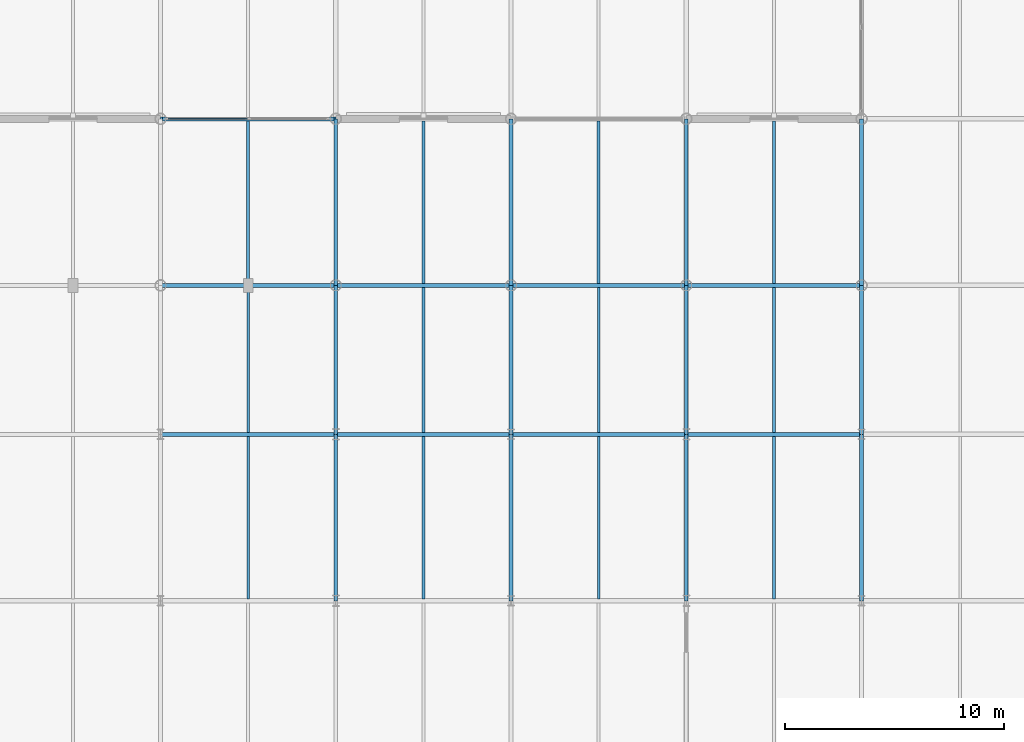
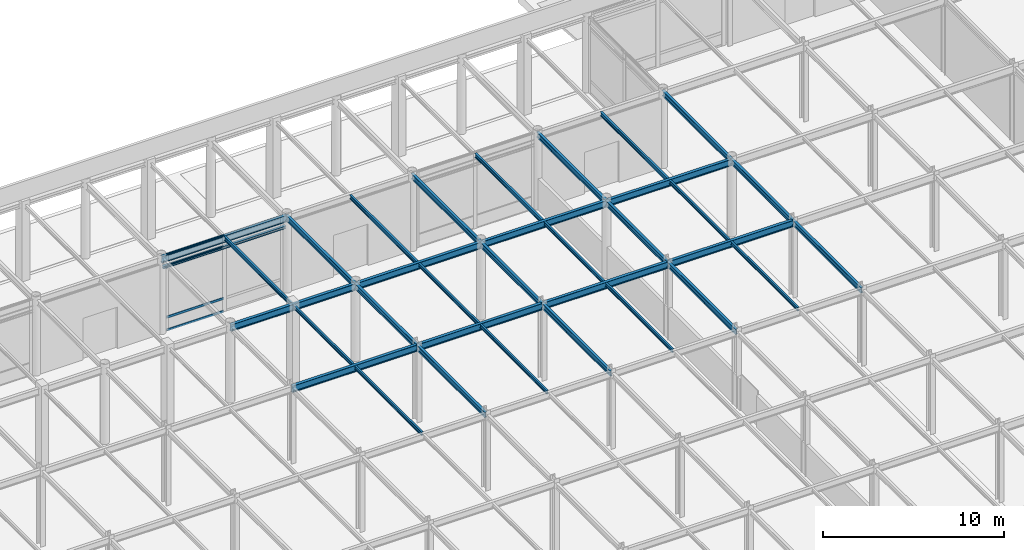
# One storey, part 40 of 89: 34 beams, 4 members, 1 element without a shape of its own.
"""IFC4 building model written with IfcOpenShell, lengths in metres."""

from ifc_helpers import new_model, si_unit, direction, frame, origin, origin_2d, place, context, subcontext, project, spatial, hollow_rectangle, i_section, extrude, material, layer, layer_set, material_profile, profile_set, type_object, element, aggregate, save


model = new_model("IFC4")

# Units and contexts
model_context = context("Model", 3, precision=1e-05, world=origin(), true_north=direction((0.0, 1.0)))
body_context = subcontext(model_context, "Body", "Model", "MODEL_VIEW")
ifc_project = project(units=[si_unit("LENGTHUNIT", "METRE"), si_unit("AREAUNIT", "SQUARE_METRE"), si_unit("VOLUMEUNIT", "CUBIC_METRE"), si_unit("PLANEANGLEUNIT", "RADIAN"), si_unit("MASSUNIT", "GRAM", prefix="KILO")], contexts=[model_context])

# Site, building, storey
site_placement = place(None, origin())
site = spatial("IfcSite", under=ifc_project, at=site_placement, CompositionType="ELEMENT")
building_placement = place(site_placement, origin())
building = spatial("IfcBuilding", under=site, at=building_placement, Name="Shalkamar Park Central Library", CompositionType="ELEMENT")
storey_placement = place(building_placement, origin())
storey = spatial("IfcBuildingStorey", under=building, at=storey_placement, Name="L01", CompositionType="ELEMENT", Elevation=0.0)

# Beams
ifc_material_1 = material(Name="Steel S355", Category="steel")
ifc_material_profile_1 = material_profile(ifc_material_1, i_section(OverallWidth=0.1201171875, OverallDepth=0.239990234375, WebThickness=0.006103515625, FlangeThickness=0.009765625, FilletRadius=0.014892578125, at=origin_2d()), Name="IPE 240")
ifc_profile_set_1 = profile_set([ifc_material_profile_1], Name="Steel S355")
beam_type_1 = type_object("IfcBeamType", Name="Composite Floor Joist IPE240", PredefinedType="JOIST", material=ifc_profile_set_1)
beam_1_placement = place(storey_placement, frame((209.0, 323.693115234375, 5.02001953125), z_axis=(0.0, 1.0, 0.0), x_axis=(-1.0, 0.0, 0.0)))
element("IfcBeam", 1, at=beam_1_placement, inside=storey, type_object=beam_type_1, Name="Composite Joist 12/M-1 (L01)", PredefinedType="JOIST", context=body_context, shape_type="SweptSolid", body=[
    extrude(i_section(OverallWidth=0.1201171875, OverallDepth=0.239990234375, WebThickness=0.006103515625, FlangeThickness=0.009765625, FilletRadius=0.014892578125, at=origin_2d()), origin(), (0.0, 0.0, 1.0), 7.413818359375),
])
beam_2_placement = place(storey_placement, frame((209.0, 331.29296875, 5.02001953125), z_axis=(0.0, 1.0, 0.0), x_axis=(-1.0, 0.0, 0.0)))
element("IfcBeam", 2, at=beam_2_placement, inside=storey, type_object=beam_type_1, Name="Composite Joist 12/N-1 (L01)", PredefinedType="JOIST", context=body_context, shape_type="SweptSolid", body=[
    extrude(i_section(OverallWidth=0.1201171875, OverallDepth=0.239990234375, WebThickness=0.006103515625, FlangeThickness=0.009765625, FilletRadius=0.014892578125, at=origin_2d()), origin(), (0.0, 0.0, 1.0), 6.614013671875),
])
beam_3_placement = place(storey_placement, frame((217.0, 323.693115234375, 5.02001953125), z_axis=(0.0, 1.0, 0.0), x_axis=(-1.0, 0.0, 0.0)))
element("IfcBeam", 3, at=beam_3_placement, inside=storey, type_object=beam_type_1, Name="Composite Joist 13/M-1 (L01)", PredefinedType="JOIST", context=body_context, shape_type="SweptSolid", body=[
    extrude(i_section(OverallWidth=0.1201171875, OverallDepth=0.239990234375, WebThickness=0.006103515625, FlangeThickness=0.009765625, FilletRadius=0.014892578125, at=origin_2d()), origin(), (0.0, 0.0, 1.0), 7.413818359375),
])
beam_4_placement = place(storey_placement, frame((217.0, 331.29296875, 5.02001953125), z_axis=(0.0, 1.0, 0.0), x_axis=(-1.0, 0.0, 0.0)))
element("IfcBeam", 4, at=beam_4_placement, inside=storey, type_object=beam_type_1, Name="Composite Joist 13/N-1 (L01)", PredefinedType="JOIST", context=body_context, shape_type="SweptSolid", body=[
    extrude(i_section(OverallWidth=0.1201171875, OverallDepth=0.239990234375, WebThickness=0.006103515625, FlangeThickness=0.009765625, FilletRadius=0.014892578125, at=origin_2d()), origin(), (0.0, 0.0, 1.0), 6.614013671875),
])
beam_5_placement = place(storey_placement, frame((225.0, 323.693115234375, 5.02001953125), z_axis=(0.0, 1.0, 0.0), x_axis=(-1.0, 0.0, 0.0)))
element("IfcBeam", 5, at=beam_5_placement, inside=storey, type_object=beam_type_1, Name="Composite Joist 14/M-1 (L01)", PredefinedType="JOIST", context=body_context, shape_type="SweptSolid", body=[
    extrude(i_section(OverallWidth=0.1201171875, OverallDepth=0.239990234375, WebThickness=0.006103515625, FlangeThickness=0.009765625, FilletRadius=0.014892578125, at=origin_2d()), origin(), (0.0, 0.0, 1.0), 7.413818359375),
])
beam_6_placement = place(storey_placement, frame((225.0, 331.29296875, 5.02001953125), z_axis=(0.0, 1.0, 0.0), x_axis=(-1.0, 0.0, 0.0)))
element("IfcBeam", 6, at=beam_6_placement, inside=storey, type_object=beam_type_1, Name="Composite Joist 14/N-1 (L01)", PredefinedType="JOIST", context=body_context, shape_type="SweptSolid", body=[
    extrude(i_section(OverallWidth=0.1201171875, OverallDepth=0.239990234375, WebThickness=0.006103515625, FlangeThickness=0.009765625, FilletRadius=0.014892578125, at=origin_2d()), origin(), (0.0, 0.0, 1.0), 6.614013671875),
])
beam_7_placement = place(storey_placement, frame((233.0, 323.693115234375, 5.02001953125), z_axis=(0.0, 1.0, 0.0), x_axis=(-1.0, 0.0, 0.0)))
element("IfcBeam", 7, at=beam_7_placement, inside=storey, type_object=beam_type_1, Name="Composite Joist 15/M-1 (L01)", PredefinedType="JOIST", context=body_context, shape_type="SweptSolid", body=[
    extrude(i_section(OverallWidth=0.1201171875, OverallDepth=0.239990234375, WebThickness=0.006103515625, FlangeThickness=0.009765625, FilletRadius=0.014892578125, at=origin_2d()), origin(), (0.0, 0.0, 1.0), 7.413818359375),
])
beam_8_placement = place(storey_placement, frame((233.0, 331.29296875, 5.02001953125), z_axis=(0.0, 1.0, 0.0), x_axis=(-1.0, 0.0, 0.0)))
element("IfcBeam", 8, at=beam_8_placement, inside=storey, type_object=beam_type_1, Name="Composite Joist 15/N-1 (L01)", PredefinedType="JOIST", context=body_context, shape_type="SweptSolid", body=[
    extrude(i_section(OverallWidth=0.1201171875, OverallDepth=0.239990234375, WebThickness=0.006103515625, FlangeThickness=0.009765625, FilletRadius=0.014892578125, at=origin_2d()), origin(), (0.0, 0.0, 1.0), 6.614013671875),
])
ifc_material_profile_2 = material_profile(ifc_material_1, i_section(OverallWidth=0.135009765625, OverallDepth=0.27001953125, WebThickness=0.006591796875, FlangeThickness=0.01025390625, FilletRadius=0.014892578125, at=origin_2d()), Name="IPE 270")
ifc_profile_set_2 = profile_set([ifc_material_profile_2], Name="Steel S355")
beam_type_2 = type_object("IfcBeamType", Name="Composite Floor Joist IPE270", PredefinedType="JOIST", material=ifc_profile_set_2)
for number, where, z_axis, x_axis, name in (
    (9, (209.0, 338.093017578125, 5.0048828125), (0.0, 1.0, 0.0), (-1.0, 0.0, 0.0), "Composite Joist 12/P-1 (L01)"),
    (10, (217.0, 338.093017578125, 5.0048828125), (0.0, 1.0, 0.0), (-1.0, 0.0, 0.0), "Composite Joist 13/P-1 (L01)"),
    (11, (225.0, 338.093017578125, 5.0048828125), (0.0, 1.0, 0.0), (-1.0, 0.0, 0.0), "Composite Joist 14/P-1 (L01)"),
    (12, (233.0, 338.093017578125, 5.0048828125), (0.0, 1.0, 0.0), (-1.0, 0.0, 0.0), "Composite Joist 15/P-1 (L01)"),
):
    element("IfcBeam", number, at=place(storey_placement, frame(where, z_axis=z_axis, x_axis=x_axis)), inside=storey, type_object=beam_type_2, Name=name, PredefinedType="JOIST", context=body_context, shape_type="SweptSolid", body=[
        extrude(i_section(OverallWidth=0.135009765625, OverallDepth=0.27001953125, WebThickness=0.006591796875, FlangeThickness=0.01025390625, FilletRadius=0.014892578125, at=origin_2d()), origin(), (0.0, 0.0, 1.0), 7.4140625),
    ])

# Curtain wall, members
ifc_material_2 = material(Name="Thermally broken aluminium and triple low-e curtain wall", Category="aluminium")
ifc_layer = layer(ifc_material_2, 0.25)
ifc_layer_set = layer_set([ifc_layer], Name="UnitisedCurtainWall_10")
curtain_wall_type = type_object("IfcCurtainWallType", Name="Unitised Curtain Wall 10", PredefinedType="USERDEFINED", material=ifc_layer_set)
curtain_wall_placement = place(storey_placement, origin())
curtain_wall = element("IfcCurtainWall", 13, at=curtain_wall_placement, inside=storey, type_object=curtain_wall_type, Name="Unitised Curtain Wall CW-L01-010", ObjectType="UNITISED CURTAIN WALL", PredefinedType="USERDEFINED")
ifc_material_3 = material(Name="Aluminium 6060-T66", Category="aluminium")
ifc_material_profile_3 = material_profile(ifc_material_3, hollow_rectangle(XDim=0.06005859375, YDim=0.159912109375, WallThickness=0.00390625, InnerFilletRadius=0.00390625, OuterFilletRadius=0.006103515625, at=origin_2d()), Name="ALU 60x160x4")
ifc_profile_set_3 = profile_set([ifc_material_profile_3], Name="Aluminium 6060-T66")
member_type = type_object("IfcMemberType", Name="Curtain Wall Transom ALU60x160", PredefinedType="USERDEFINED", material=ifc_profile_set_3)
member_1_placement = place(storey_placement, frame((205.3330078125, 345.60009765625, 0.030029296875), z_axis=(1.0, 0.0, 0.0), x_axis=(0.0, 1.0, 0.0)))
member_1 = element("IfcMember", 14, at=member_1_placement, type_object=member_type, Name="CW-10 transom 1.1", ObjectType="TRANSOM", PredefinedType="USERDEFINED", context=body_context, shape_type="SweptSolid", body=[
    extrude(hollow_rectangle(XDim=0.06005859375, YDim=0.159912109375, WallThickness=0.00390625, InnerFilletRadius=0.00390625, OuterFilletRadius=0.006103515625, at=origin_2d()), origin(), (0.0, 0.0, 1.0), 3.62939453125),
])
member_2_placement = place(storey_placement, frame((205.3330078125, 345.60009765625, 0.89990234375), z_axis=(1.0, 0.0, 0.0), x_axis=(0.0, 1.0, 0.0)))
member_2 = element("IfcMember", 15, at=member_2_placement, type_object=member_type, Name="CW-10 transom 1.2", ObjectType="TRANSOM", PredefinedType="USERDEFINED", context=body_context, shape_type="SweptSolid", body=[
    extrude(hollow_rectangle(XDim=0.06005859375, YDim=0.159912109375, WallThickness=0.00390625, InnerFilletRadius=0.00390625, OuterFilletRadius=0.006103515625, at=origin_2d()), origin(), (0.0, 0.0, 1.0), 3.62939453125),
])
member_3_placement = place(storey_placement, frame((205.3330078125, 345.60009765625, 4.389892578125), z_axis=(1.0, 0.0, 0.0), x_axis=(0.0, 1.0, 0.0)))
member_3 = element("IfcMember", 16, at=member_3_placement, type_object=member_type, Name="CW-10 transom 1.3", ObjectType="TRANSOM", PredefinedType="USERDEFINED", context=body_context, shape_type="SweptSolid", body=[
    extrude(hollow_rectangle(XDim=0.06005859375, YDim=0.159912109375, WallThickness=0.00390625, InnerFilletRadius=0.00390625, OuterFilletRadius=0.006103515625, at=origin_2d()), origin(), (0.0, 0.0, 1.0), 3.62939453125),
])
member_4_placement = place(storey_placement, frame((205.3330078125, 345.60009765625, 5.110107421875), z_axis=(1.0, 0.0, 0.0), x_axis=(0.0, 1.0, 0.0)))
member_4 = element("IfcMember", 17, at=member_4_placement, type_object=member_type, Name="CW-10 transom 1.4", ObjectType="TRANSOM", PredefinedType="USERDEFINED", context=body_context, shape_type="SweptSolid", body=[
    extrude(hollow_rectangle(XDim=0.06005859375, YDim=0.159912109375, WallThickness=0.00390625, InnerFilletRadius=0.00390625, OuterFilletRadius=0.006103515625, at=origin_2d()), origin(), (0.0, 0.0, 1.0), 3.62939453125),
])
aggregate(curtain_wall, [member_1, member_2, member_3, member_4])

# Beams
ifc_material_profile_4 = material_profile(ifc_material_1, i_section(OverallWidth=0.179931640625, OverallDepth=0.1708984375, WebThickness=0.006103515625, FlangeThickness=0.009521484375, FilletRadius=0.014892578125, at=origin_2d()), Name="HEA 180")
ifc_profile_set_4 = profile_set([ifc_material_profile_4], Name="Steel S355")
beam_type_3 = type_object("IfcBeamType", Name="Opening Lintel Beam HEA180", PredefinedType="LINTEL", material=ifc_profile_set_4)
beam_9_placement = place(storey_placement, frame((205.080078125, 345.60009765625, 4.35009765625), z_axis=(1.0, 0.0, 0.0), x_axis=(0.0, 1.0, 0.0)))
element("IfcBeam", 18, at=beam_9_placement, inside=storey, type_object=beam_type_3, Name="Opening Lintel L01-14", PredefinedType="LINTEL", context=body_context, shape_type="SweptSolid", body=[
    extrude(i_section(OverallWidth=0.179931640625, OverallDepth=0.1708984375, WebThickness=0.006103515625, FlangeThickness=0.009521484375, FilletRadius=0.014892578125, at=origin_2d()), origin(), (0.0, 0.0, 1.0), 7.83984375),
])
ifc_material_profile_5 = material_profile(ifc_material_1, i_section(OverallWidth=0.169921875, OverallDepth=0.360107421875, WebThickness=0.008056640625, FlangeThickness=0.0126953125, FilletRadius=0.01806640625, at=origin_2d()), Name="IPE 360")
ifc_profile_set_5 = profile_set([ifc_material_profile_5], Name="Steel S355")
beam_type_4 = type_object("IfcBeamType", Name="Primary Girder IPE360", PredefinedType="BEAM", material=ifc_profile_set_5)
beam_10_placement = place(storey_placement, frame((213.0, 323.60009765625, 4.9599609375), z_axis=(0.0, 1.0, 0.0), x_axis=(-1.0, 0.0, 0.0)))
element("IfcBeam", 19, at=beam_10_placement, inside=storey, type_object=beam_type_4, Name="Beam 13:M-N (L01)", PredefinedType="BEAM", context=body_context, shape_type="SweptSolid", body=[
    extrude(i_section(OverallWidth=0.169921875, OverallDepth=0.360107421875, WebThickness=0.008056640625, FlangeThickness=0.0126953125, FilletRadius=0.01806640625, at=origin_2d()), origin(), (0.0, 0.0, 1.0), 7.599853515625),
])
beam_11_placement = place(storey_placement, frame((213.0, 331.199951171875, 4.9599609375), z_axis=(0.0, 1.0, 0.0), x_axis=(-1.0, 0.0, 0.0)))
element("IfcBeam", 20, at=beam_11_placement, inside=storey, type_object=beam_type_4, Name="Beam 13:N-P (L01)", PredefinedType="BEAM", context=body_context, shape_type="SweptSolid", body=[
    extrude(i_section(OverallWidth=0.169921875, OverallDepth=0.360107421875, WebThickness=0.008056640625, FlangeThickness=0.0126953125, FilletRadius=0.01806640625, at=origin_2d()), origin(), (0.0, 0.0, 1.0), 6.800048828125),
])
beam_12_placement = place(storey_placement, frame((213.0, 338.0, 4.9599609375), z_axis=(0.0, 1.0, 0.0), x_axis=(-1.0, 0.0, 0.0)))
element("IfcBeam", 21, at=beam_12_placement, inside=storey, type_object=beam_type_4, Name="Beam 13:P-Q (L01)", PredefinedType="BEAM", context=body_context, shape_type="SweptSolid", body=[
    extrude(i_section(OverallWidth=0.169921875, OverallDepth=0.360107421875, WebThickness=0.008056640625, FlangeThickness=0.0126953125, FilletRadius=0.01806640625, at=origin_2d()), origin(), (0.0, 0.0, 1.0), 7.60009765625),
])
beam_13_placement = place(storey_placement, frame((221.0, 323.60009765625, 4.9599609375), z_axis=(0.0, 1.0, 0.0), x_axis=(-1.0, 0.0, 0.0)))
element("IfcBeam", 22, at=beam_13_placement, inside=storey, type_object=beam_type_4, Name="Beam 14:M-N (L01)", PredefinedType="BEAM", context=body_context, shape_type="SweptSolid", body=[
    extrude(i_section(OverallWidth=0.169921875, OverallDepth=0.360107421875, WebThickness=0.008056640625, FlangeThickness=0.0126953125, FilletRadius=0.01806640625, at=origin_2d()), origin(), (0.0, 0.0, 1.0), 7.599853515625),
])
beam_14_placement = place(storey_placement, frame((221.0, 331.199951171875, 4.9599609375), z_axis=(0.0, 1.0, 0.0), x_axis=(-1.0, 0.0, 0.0)))
element("IfcBeam", 23, at=beam_14_placement, inside=storey, type_object=beam_type_4, Name="Beam 14:N-P (L01)", PredefinedType="BEAM", context=body_context, shape_type="SweptSolid", body=[
    extrude(i_section(OverallWidth=0.169921875, OverallDepth=0.360107421875, WebThickness=0.008056640625, FlangeThickness=0.0126953125, FilletRadius=0.01806640625, at=origin_2d()), origin(), (0.0, 0.0, 1.0), 6.800048828125),
])
beam_15_placement = place(storey_placement, frame((221.0, 338.0, 4.9599609375), z_axis=(0.0, 1.0, 0.0), x_axis=(-1.0, 0.0, 0.0)))
element("IfcBeam", 24, at=beam_15_placement, inside=storey, type_object=beam_type_4, Name="Beam 14:P-Q (L01)", PredefinedType="BEAM", context=body_context, shape_type="SweptSolid", body=[
    extrude(i_section(OverallWidth=0.169921875, OverallDepth=0.360107421875, WebThickness=0.008056640625, FlangeThickness=0.0126953125, FilletRadius=0.01806640625, at=origin_2d()), origin(), (0.0, 0.0, 1.0), 7.60009765625),
])
beam_16_placement = place(storey_placement, frame((229.0, 323.60009765625, 4.9599609375), z_axis=(0.0, 1.0, 0.0), x_axis=(-1.0, 0.0, 0.0)))
element("IfcBeam", 25, at=beam_16_placement, inside=storey, type_object=beam_type_4, Name="Beam 15:M-N (L01)", PredefinedType="BEAM", context=body_context, shape_type="SweptSolid", body=[
    extrude(i_section(OverallWidth=0.169921875, OverallDepth=0.360107421875, WebThickness=0.008056640625, FlangeThickness=0.0126953125, FilletRadius=0.01806640625, at=origin_2d()), origin(), (0.0, 0.0, 1.0), 7.599853515625),
])
beam_17_placement = place(storey_placement, frame((229.0, 331.199951171875, 4.9599609375), z_axis=(0.0, 1.0, 0.0), x_axis=(-1.0, 0.0, 0.0)))
element("IfcBeam", 26, at=beam_17_placement, inside=storey, type_object=beam_type_4, Name="Beam 15:N-P (L01)", PredefinedType="BEAM", context=body_context, shape_type="SweptSolid", body=[
    extrude(i_section(OverallWidth=0.169921875, OverallDepth=0.360107421875, WebThickness=0.008056640625, FlangeThickness=0.0126953125, FilletRadius=0.01806640625, at=origin_2d()), origin(), (0.0, 0.0, 1.0), 6.800048828125),
])
beam_18_placement = place(storey_placement, frame((229.0, 338.0, 4.9599609375), z_axis=(0.0, 1.0, 0.0), x_axis=(-1.0, 0.0, 0.0)))
element("IfcBeam", 27, at=beam_18_placement, inside=storey, type_object=beam_type_4, Name="Beam 15:P-Q (L01)", PredefinedType="BEAM", context=body_context, shape_type="SweptSolid", body=[
    extrude(i_section(OverallWidth=0.169921875, OverallDepth=0.360107421875, WebThickness=0.008056640625, FlangeThickness=0.0126953125, FilletRadius=0.01806640625, at=origin_2d()), origin(), (0.0, 0.0, 1.0), 7.60009765625),
])
beam_19_placement = place(storey_placement, frame((237.0, 323.60009765625, 4.9599609375), z_axis=(0.0, 1.0, 0.0), x_axis=(-1.0, 0.0, 0.0)))
element("IfcBeam", 28, at=beam_19_placement, inside=storey, type_object=beam_type_4, Name="Beam 16:M-N (L01)", PredefinedType="BEAM", context=body_context, shape_type="SweptSolid", body=[
    extrude(i_section(OverallWidth=0.169921875, OverallDepth=0.360107421875, WebThickness=0.008056640625, FlangeThickness=0.0126953125, FilletRadius=0.01806640625, at=origin_2d()), origin(), (0.0, 0.0, 1.0), 7.599853515625),
])
beam_20_placement = place(storey_placement, frame((237.0, 331.199951171875, 4.9599609375), z_axis=(0.0, 1.0, 0.0), x_axis=(-1.0, 0.0, 0.0)))
element("IfcBeam", 29, at=beam_20_placement, inside=storey, type_object=beam_type_4, Name="Beam 16:N-P (L01)", PredefinedType="BEAM", context=body_context, shape_type="SweptSolid", body=[
    extrude(i_section(OverallWidth=0.169921875, OverallDepth=0.360107421875, WebThickness=0.008056640625, FlangeThickness=0.0126953125, FilletRadius=0.01806640625, at=origin_2d()), origin(), (0.0, 0.0, 1.0), 6.800048828125),
])
beam_21_placement = place(storey_placement, frame((237.0, 338.0, 4.9599609375), z_axis=(0.0, 1.0, 0.0), x_axis=(-1.0, 0.0, 0.0)))
element("IfcBeam", 30, at=beam_21_placement, inside=storey, type_object=beam_type_4, Name="Beam 16:P-Q (L01)", PredefinedType="BEAM", context=body_context, shape_type="SweptSolid", body=[
    extrude(i_section(OverallWidth=0.169921875, OverallDepth=0.360107421875, WebThickness=0.008056640625, FlangeThickness=0.0126953125, FilletRadius=0.01806640625, at=origin_2d()), origin(), (0.0, 0.0, 1.0), 7.60009765625),
])
ifc_material_profile_6 = material_profile(ifc_material_1, i_section(OverallWidth=0.18994140625, OverallDepth=0.449951171875, WebThickness=0.009521484375, FlangeThickness=0.0146484375, FilletRadius=0.02099609375, at=origin_2d()), Name="IPE 450")
ifc_profile_set_6 = profile_set([ifc_material_profile_6], Name="Steel S355")
beam_type_5 = type_object("IfcBeamType", Name="Primary Girder IPE450", PredefinedType="BEAM", material=ifc_profile_set_6)
for number, where, z_axis, x_axis, name in (
    (31, (205.0, 331.199951171875, 4.9150390625), (1.0, 0.0, 0.0), (0.0, 1.0, 0.0), "Beam N:12-13 (L01)"),
    (32, (213.0, 331.199951171875, 4.9150390625), (1.0, 0.0, 0.0), (0.0, 1.0, 0.0), "Beam N:13-14 (L01)"),
    (33, (221.0, 331.199951171875, 4.9150390625), (1.0, 0.0, 0.0), (0.0, 1.0, 0.0), "Beam N:14-15 (L01)"),
    (34, (229.0, 331.199951171875, 4.9150390625), (1.0, 0.0, 0.0), (0.0, 1.0, 0.0), "Beam N:15-16 (L01)"),
    (35, (205.0, 338.0, 4.9150390625), (1.0, 0.0, 0.0), (0.0, 1.0, 0.0), "Beam P:12-13 (L01)"),
    (36, (213.0, 338.0, 4.9150390625), (1.0, 0.0, 0.0), (0.0, 1.0, 0.0), "Beam P:13-14 (L01)"),
    (37, (221.0, 338.0, 4.9150390625), (1.0, 0.0, 0.0), (0.0, 1.0, 0.0), "Beam P:14-15 (L01)"),
    (38, (229.0, 338.0, 4.9150390625), (1.0, 0.0, 0.0), (0.0, 1.0, 0.0), "Beam P:15-16 (L01)"),
    (39, (205.0, 345.60009765625, 4.9150390625), (1.0, 0.0, 0.0), (0.0, 1.0, 0.0), "Beam Q:12-13 (L01)"),
):
    element("IfcBeam", number, at=place(storey_placement, frame(where, z_axis=z_axis, x_axis=x_axis)), inside=storey, type_object=beam_type_5, Name=name, PredefinedType="BEAM", context=body_context, shape_type="SweptSolid", body=[
        extrude(i_section(OverallWidth=0.18994140625, OverallDepth=0.449951171875, WebThickness=0.009521484375, FlangeThickness=0.0146484375, FilletRadius=0.02099609375, at=origin_2d()), origin(), (0.0, 0.0, 1.0), 8.0),
    ])

save(model, "model.ifc")
